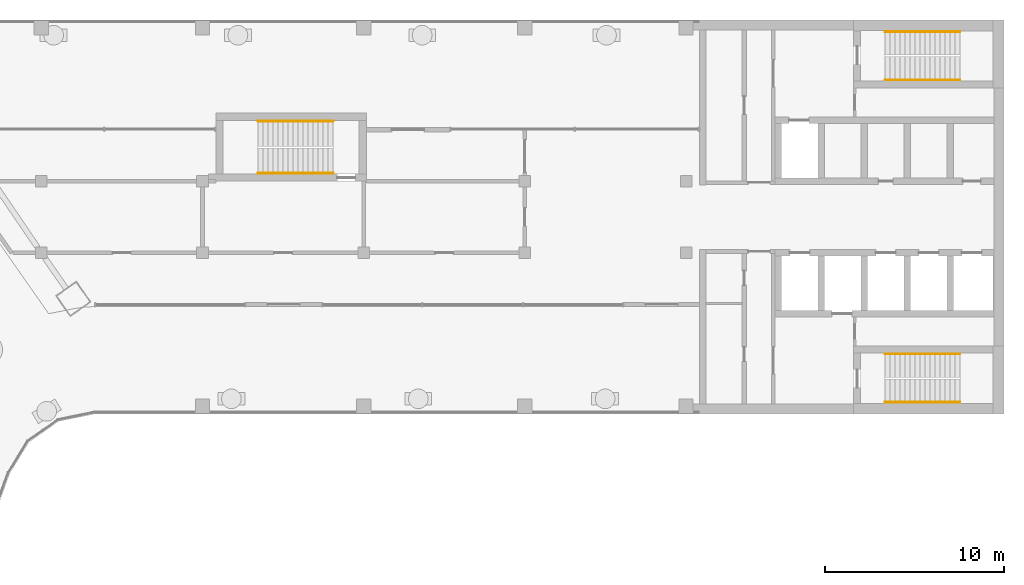
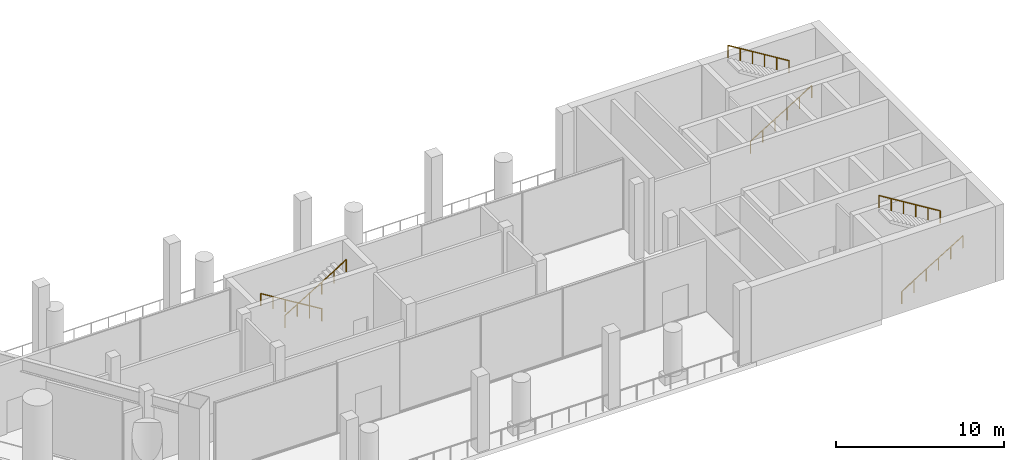
# One storey, part 14 of 17: 6 railings.
"""IFC4 building model written with IfcOpenShell, lengths in metres."""

from ifc_helpers import new_model, si_unit, direction, frame, origin, origin_2d, place, context, subcontext, project, spatial, circle, extrude, material, type_object, element, save


model = new_model("IFC4")

# Units and contexts
model_context = context("Model", 3, precision=1e-05, world=origin(), true_north=direction((0.0, 1.0)))
body_context = subcontext(model_context, "Body", "Model", "MODEL_VIEW")
ifc_project = project(units=[si_unit("LENGTHUNIT", "METRE"), si_unit("AREAUNIT", "SQUARE_METRE"), si_unit("VOLUMEUNIT", "CUBIC_METRE"), si_unit("PLANEANGLEUNIT", "RADIAN"), si_unit("MASSUNIT", "GRAM", prefix="KILO")], contexts=[model_context])

# Site, building, storey
site_placement = place(None, origin())
site = spatial("IfcSite", under=ifc_project, at=site_placement, CompositionType="ELEMENT")
building_placement = place(site_placement, origin())
building = spatial("IfcBuilding", under=site, at=building_placement, Name="Skarvind Civic Tower", CompositionType="ELEMENT")
storey_placement = place(building_placement, frame((0.0, 0.0, 182.5)))
storey = spatial("IfcBuildingStorey", under=building, at=storey_placement, Name="L43", CompositionType="ELEMENT", Elevation=182.5)

# Railings
ifc_material = material(Name="Painted steel handrail", Category="steel")
railing_type = type_object("IfcRailingType", Name="Stair handrail 900", PredefinedType="HANDRAIL", material=ifc_material)
railing_1_placement = place(storey_placement, frame((101.35009765625, 135.64990234375, 0.171875)))
element("IfcRailing", 1, at=railing_1_placement, inside=storey, type_object=railing_type, Name="Stair handrail", PredefinedType="HANDRAIL", context=body_context, shape_type="SweptSolid", body=[
    extrude(circle(Radius=0.02392578125, at=origin_2d()), frame((0.0, 0.0, 0.8759765625), z_axis=(0.852242915053, 0.0, 0.523146264196), x_axis=(0.0, 1.0, 0.0)), (0.0, 0.0, 1.0), 4.92822265625),
    extrude(circle(Radius=0.02099609375, at=origin_2d()), origin(), (0.0, 0.0, 1.0), 0.851806640625),
    extrude(circle(Radius=0.02099609375, at=origin_2d()), frame((0.840087890625, 0.0, 0.515625)), (0.0, 0.0, 1.0), 0.851806640625),
    extrude(circle(Radius=0.02099609375, at=origin_2d()), frame((1.679931640625, 0.0, 1.03125)), (0.0, 0.0, 1.0), 0.851806640625),
    extrude(circle(Radius=0.02099609375, at=origin_2d()), frame((2.52001953125, 0.0, 1.546875)), (0.0, 0.0, 1.0), 0.851806640625),
    extrude(circle(Radius=0.02099609375, at=origin_2d()), frame((3.35986328125, 0.0, 2.0625)), (0.0, 0.0, 1.0), 0.851806640625),
    extrude(circle(Radius=0.02099609375, at=origin_2d()), frame((4.199951171875, 0.0, 2.578125)), (0.0, 0.0, 1.0), 0.851806640625),
])
railing_2_placement = place(storey_placement, frame((105.550048828125, 138.35009765625, 2.921875)))
element("IfcRailing", 2, at=railing_2_placement, inside=storey, type_object=railing_type, Name="Stair handrail", PredefinedType="HANDRAIL", context=body_context, shape_type="SweptSolid", body=[
    extrude(circle(Radius=0.02392578125, at=origin_2d()), frame((0.0, 0.0, 0.8759765625), z_axis=(-0.852242915053, 0.0, 0.523146264196), x_axis=(0.0, -1.0, 0.0)), (0.0, 0.0, 1.0), 4.92822265625),
    extrude(circle(Radius=0.02099609375, at=origin_2d()), origin(), (0.0, 0.0, 1.0), 0.851806640625),
    extrude(circle(Radius=0.02099609375, at=origin_2d()), frame((-0.840087890625, 0.0, 0.515625)), (0.0, 0.0, 1.0), 0.851806640625),
    extrude(circle(Radius=0.02099609375, at=origin_2d()), frame((-1.679931640625, 0.0, 1.03125)), (0.0, 0.0, 1.0), 0.851806640625),
    extrude(circle(Radius=0.02099609375, at=origin_2d()), frame((-2.52001953125, 0.0, 1.546875)), (0.0, 0.0, 1.0), 0.851806640625),
    extrude(circle(Radius=0.02099609375, at=origin_2d()), frame((-3.35986328125, 0.0, 2.0625)), (0.0, 0.0, 1.0), 0.851806640625),
    extrude(circle(Radius=0.02099609375, at=origin_2d()), frame((-4.199951171875, 0.0, 2.578125)), (0.0, 0.0, 1.0), 0.851806640625),
])
railing_3_placement = place(storey_placement, frame((101.35009765625, 117.64990234375, 0.171875)))
element("IfcRailing", 3, at=railing_3_placement, inside=storey, type_object=railing_type, Name="Stair handrail", PredefinedType="HANDRAIL", context=body_context, shape_type="SweptSolid", body=[
    extrude(circle(Radius=0.02392578125, at=origin_2d()), frame((0.0, 0.0, 0.8759765625), z_axis=(0.852242915053, 0.0, 0.523146264196), x_axis=(0.0, 1.0, 0.0)), (0.0, 0.0, 1.0), 4.92822265625),
    extrude(circle(Radius=0.02099609375, at=origin_2d()), origin(), (0.0, 0.0, 1.0), 0.851806640625),
    extrude(circle(Radius=0.02099609375, at=origin_2d()), frame((0.840087890625, 0.0, 0.515625)), (0.0, 0.0, 1.0), 0.851806640625),
    extrude(circle(Radius=0.02099609375, at=origin_2d()), frame((1.679931640625, 0.0, 1.03125)), (0.0, 0.0, 1.0), 0.851806640625),
    extrude(circle(Radius=0.02099609375, at=origin_2d()), frame((2.52001953125, 0.0, 1.546875)), (0.0, 0.0, 1.0), 0.851806640625),
    extrude(circle(Radius=0.02099609375, at=origin_2d()), frame((3.35986328125, 0.0, 2.0625)), (0.0, 0.0, 1.0), 0.851806640625),
    extrude(circle(Radius=0.02099609375, at=origin_2d()), frame((4.199951171875, 0.0, 2.578125)), (0.0, 0.0, 1.0), 0.851806640625),
])
for number, where, name in (
    (4, (105.550048828125, 120.35009765625, 2.921875), "Stair handrail"),
    (5, (70.550048828125, 133.35009765625, 0.171875), "Stair handrail"),
):
    element("IfcRailing", number, at=place(storey_placement, frame(where)), inside=storey, type_object=railing_type, Name=name, PredefinedType="HANDRAIL", context=body_context, shape_type="SweptSolid", body=[
        extrude(circle(Radius=0.02392578125, at=origin_2d()), frame((0.0, 0.0, 0.8759765625), z_axis=(-0.852242915053, 0.0, 0.523146264196), x_axis=(0.0, -1.0, 0.0)), (0.0, 0.0, 1.0), 4.92822265625),
        extrude(circle(Radius=0.02099609375, at=origin_2d()), origin(), (0.0, 0.0, 1.0), 0.851806640625),
        extrude(circle(Radius=0.02099609375, at=origin_2d()), frame((-0.840087890625, 0.0, 0.515625)), (0.0, 0.0, 1.0), 0.851806640625),
        extrude(circle(Radius=0.02099609375, at=origin_2d()), frame((-1.679931640625, 0.0, 1.03125)), (0.0, 0.0, 1.0), 0.851806640625),
        extrude(circle(Radius=0.02099609375, at=origin_2d()), frame((-2.52001953125, 0.0, 1.546875)), (0.0, 0.0, 1.0), 0.851806640625),
        extrude(circle(Radius=0.02099609375, at=origin_2d()), frame((-3.35986328125, 0.0, 2.0625)), (0.0, 0.0, 1.0), 0.851806640625),
        extrude(circle(Radius=0.02099609375, at=origin_2d()), frame((-4.199951171875, 0.0, 2.578125)), (0.0, 0.0, 1.0), 0.851806640625),
    ])
railing_4_placement = place(storey_placement, frame((66.35009765625, 130.449951171875, 2.921875)))
element("IfcRailing", 6, at=railing_4_placement, inside=storey, type_object=railing_type, Name="Stair handrail", PredefinedType="HANDRAIL", context=body_context, shape_type="SweptSolid", body=[
    extrude(circle(Radius=0.02392578125, at=origin_2d()), frame((0.0, 0.0, 0.8759765625), z_axis=(0.852242915053, 0.0, 0.523146264196), x_axis=(0.0, 1.0, 0.0)), (0.0, 0.0, 1.0), 4.92822265625),
    extrude(circle(Radius=0.02099609375, at=origin_2d()), origin(), (0.0, 0.0, 1.0), 0.851806640625),
    extrude(circle(Radius=0.02099609375, at=origin_2d()), frame((0.840087890625, 0.0, 0.515625)), (0.0, 0.0, 1.0), 0.851806640625),
    extrude(circle(Radius=0.02099609375, at=origin_2d()), frame((1.679931640625, 0.0, 1.03125)), (0.0, 0.0, 1.0), 0.851806640625),
    extrude(circle(Radius=0.02099609375, at=origin_2d()), frame((2.52001953125, 0.0, 1.546875)), (0.0, 0.0, 1.0), 0.851806640625),
    extrude(circle(Radius=0.02099609375, at=origin_2d()), frame((3.35986328125, 0.0, 2.0625)), (0.0, 0.0, 1.0), 0.851806640625),
    extrude(circle(Radius=0.02099609375, at=origin_2d()), frame((4.199951171875, 0.0, 2.578125)), (0.0, 0.0, 1.0), 0.851806640625),
])

save(model, "model.ifc")
